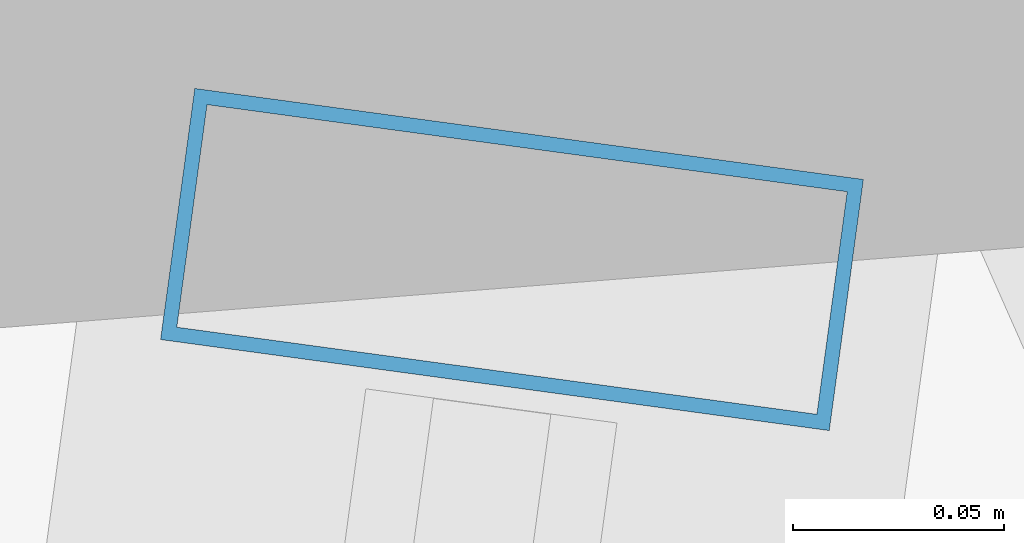
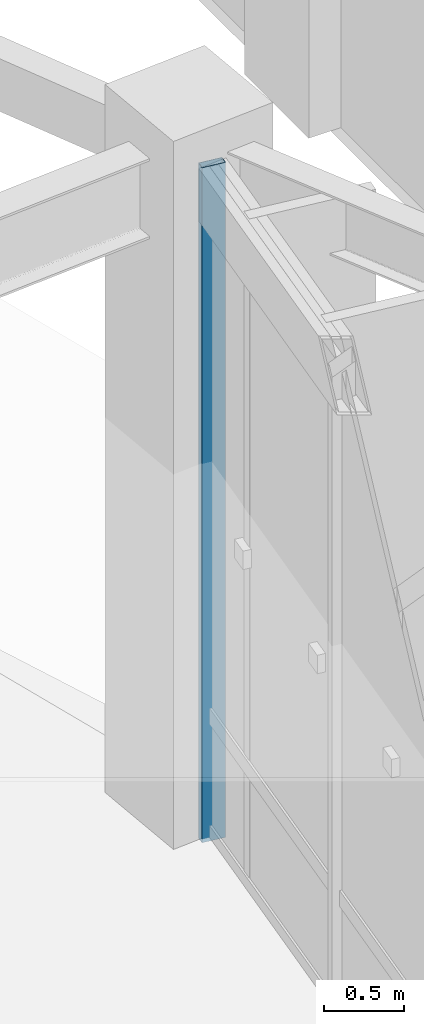
# One storey, part 101 of 157: 1 member, 1 element without a shape of its own.
"""IFC4 building model written with IfcOpenShell, lengths in metres."""

from ifc_helpers import new_model, si_unit, direction, frame, origin, origin_2d, place, context, subcontext, project, spatial, hollow_rectangle, extrude, material, material_profile, profile_set, type_object, element, aggregate, save


model = new_model("IFC4")

# Units and contexts
model_context = context("Model", 3, precision=1e-05, world=origin(), true_north=direction((0.0, 1.0)))
body_context = subcontext(model_context, "Body", "Model", "MODEL_VIEW")
ifc_project = project(units=[si_unit("LENGTHUNIT", "METRE"), si_unit("AREAUNIT", "SQUARE_METRE"), si_unit("VOLUMEUNIT", "CUBIC_METRE"), si_unit("PLANEANGLEUNIT", "RADIAN"), si_unit("MASSUNIT", "GRAM", prefix="KILO"), si_unit("THERMODYNAMICTEMPERATUREUNIT", "KELVIN"), si_unit("POWERUNIT", "WATT")], contexts=[model_context])

# Site, building, storey
site_placement = place(None, origin())
site = spatial("IfcSite", under=ifc_project, at=site_placement, CompositionType="ELEMENT")
building_placement = place(site_placement, origin())
building = spatial("IfcBuilding", under=site, at=building_placement, Name="Darbajah Civic Hall", CompositionType="ELEMENT")
storey_placement = place(building_placement, origin())
storey = spatial("IfcBuildingStorey", under=building, at=storey_placement, Name="L00", CompositionType="ELEMENT", Elevation=0.0)

# Curtain wall, member
ifc_material_1 = material(Name="Anodised Bronze Aluminium and Low-E Glazing", Category="aluminium")
curtain_wall_type = type_object("IfcCurtainWallType", Name="Unitised Curtain Wall CW-18 8500x5100", PredefinedType="USERDEFINED", material=ifc_material_1)
curtain_wall_placement = place(storey_placement, origin())
curtain_wall = element("IfcCurtainWall", 1, at=curtain_wall_placement, inside=storey, type_object=curtain_wall_type, Name="L00 unitised curtain wall CW-V1O-L00-19", ObjectType="UNITISED CURTAIN WALL", PredefinedType="USERDEFINED")
ifc_material_2 = material(Name="Anodised Bronze Aluminium", Category="aluminium")
ifc_material_profile = material_profile(ifc_material_2, hollow_rectangle(XDim=0.06005859375, YDim=0.159912109375, WallThickness=0.00341796875, at=origin_2d()), Name="ALU MULLION 60x160")
ifc_profile_set = profile_set([ifc_material_profile], Name="Anodised Bronze Aluminium")
member_type = type_object("IfcMemberType", Name="ALU MULLION 60x160", PredefinedType="MULLION", material=ifc_profile_set)
member_placement = place(storey_placement, frame((139.89208984375, 91.740966796875, 0.0), z_axis=(0.0, 0.0, 1.0), x_axis=(0.134850930274, 0.990865897387, 0.0)))
member = element("IfcMember", 2, at=member_placement, type_object=member_type, Name="CW-V1O-L00-19 mullion 5", PredefinedType="MULLION", context=body_context, shape_type="SweptSolid", body=[
    extrude(hollow_rectangle(XDim=0.06005859375, YDim=0.159912109375, WallThickness=0.00341796875, at=origin_2d()), origin(), (0.0, 0.0, 1.0), 5.1201171875),
])
aggregate(curtain_wall, [member])

save(model, "model.ifc")
